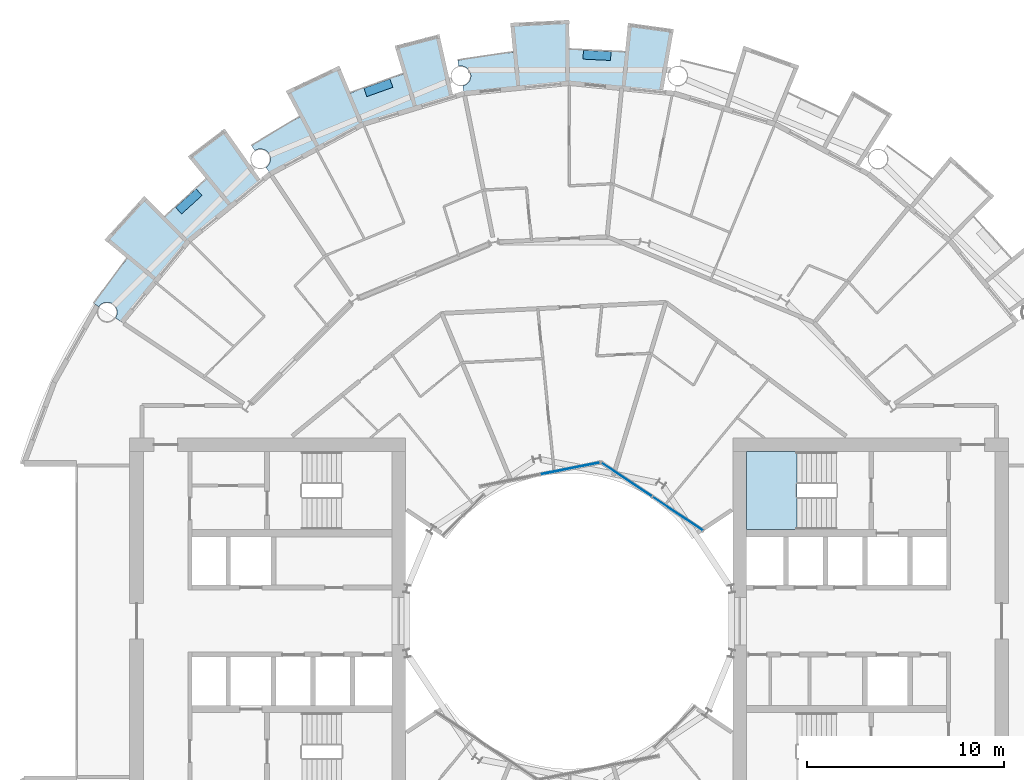
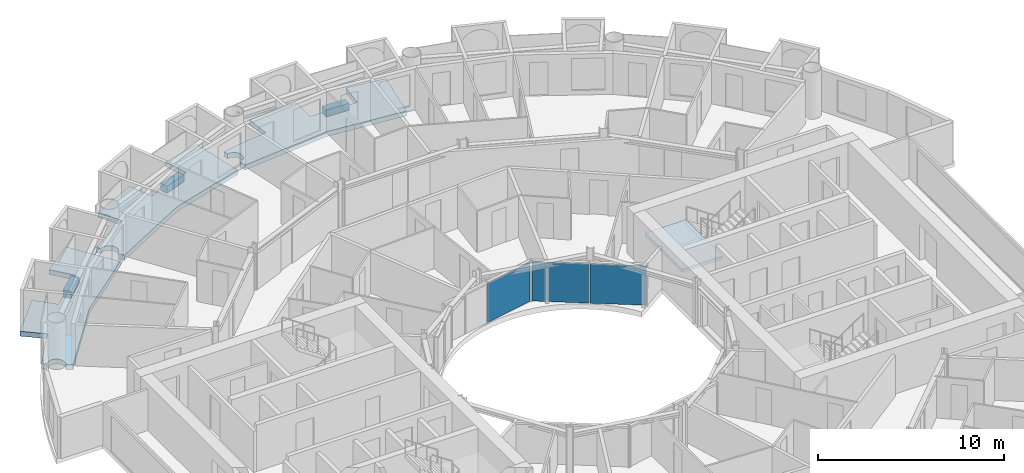
# One storey, part 11 of 26: 7 slabs, 3 plates, 3 elements without a shape of their own.
"""IFC4 building model written with IfcOpenShell, lengths in metres."""

from ifc_helpers import new_model, si_unit, direction, frame, origin, origin_2d, place, context, subcontext, project, spatial, polyline, rectangle, outline, extrude, material, layer, layer_set, type_object, element, aggregate, save


model = new_model("IFC4")

# Units and contexts
model_context = context("Model", 3, precision=1e-05, world=origin(), true_north=direction((0.0, 1.0)))
body_context = subcontext(model_context, "Body", "Model", "MODEL_VIEW")
ifc_project = project(units=[si_unit("LENGTHUNIT", "METRE"), si_unit("AREAUNIT", "SQUARE_METRE"), si_unit("VOLUMEUNIT", "CUBIC_METRE"), si_unit("PLANEANGLEUNIT", "RADIAN"), si_unit("MASSUNIT", "GRAM", prefix="KILO")], contexts=[model_context])

# Site, building, storey
site_placement = place(None, origin())
site = spatial("IfcSite", under=ifc_project, at=site_placement, CompositionType="ELEMENT")
building_placement = place(site_placement, origin())
building = spatial("IfcBuilding", under=site, at=building_placement, Name="Maasbend Ring Residences", CompositionType="ELEMENT")
storey_placement = place(building_placement, frame((0.0, 0.0, 72.75)))
storey = spatial("IfcBuildingStorey", under=building, at=storey_placement, Name="L20", CompositionType="ELEMENT", Elevation=72.75)

# Stair, slab
ifc_material_1 = material(Name="Concrete C40/50", Category="concrete")
stair_type = type_object("IfcStairType", Name="CORE STAIR 18 RISERS", PredefinedType="HALF_TURN_STAIR", material=ifc_material_1)
stair_placement = place(storey_placement, origin())
stair = element("IfcStair", 1, at=stair_placement, inside=storey, type_object=stair_type, Name="L20 Exit stair ST-E1", PredefinedType="HALF_TURN_STAIR")
ifc_material_2 = material(Name="Concrete C40/50", Category="concrete")
ifc_layer_1 = layer(ifc_material_2, 0.199951171875)
ifc_layer_set_1 = layer_set([ifc_layer_1], Name="Concrete C40/50")
slab_type_1 = type_object("IfcSlabType", Name="CORE STAIR LANDING 200", PredefinedType="LANDING", material=ifc_layer_set_1)
slab_1_placement = place(storey_placement, frame((0.0, 0.0, 1.324951171875)))
slab_1 = element("IfcSlab", 2, at=slab_1_placement, type_object=slab_type_1, Name="ST-E1 landing 1", PredefinedType="LANDING", context=body_context, shape_type="SweptSolid", body=[
    extrude(outline(polyline([(11.550048828125, 8.60009765625), (9.0, 8.60009765625), (9.0, 4.64990234375), (11.550048828125, 4.64990234375), (11.550048828125, 8.60009765625)])), origin(), (0.0, 0.0, 1.0), 0.199951171875),
])
aggregate(stair, [slab_1])

# Curtain wall, plates
ifc_material_3 = material(Name="Aluminium and clear glass", Category="aluminium")
ifc_layer_2 = layer(ifc_material_3, 0.179931640625)
ifc_layer_set_2 = layer_set([ifc_layer_2], Name="CW-W")
curtain_wall_type = type_object("IfcCurtainWallType", Name="CW-W", PredefinedType="NOTDEFINED", material=ifc_layer_set_2)
curtain_wall_1_placement = place(storey_placement, origin())
curtain_wall_1 = element("IfcCurtainWall", 3, at=curtain_wall_1_placement, inside=storey, type_object=curtain_wall_type, Name="Well curtain wall N1", PredefinedType="NOTDEFINED")
ifc_material_4 = material(Name="Glass clear laminated", Category="glass")
ifc_layer_3 = layer(ifc_material_4, 0.031982421875)
ifc_layer_set_3 = layer_set([ifc_layer_3], Name="CWP-W")
plate_type = type_object("IfcPlateType", Name="CWP-W", PredefinedType="CURTAIN_PANEL", material=ifc_layer_set_3)
plate_1_placement = place(storey_placement, frame((5.51123046875, 5.44580078125, 0.0), z_axis=(0.0, 0.0, 1.0), x_axis=(-0.831469612303, 0.55557023302, 0.0)))
plate_1 = element("IfcPlate", 4, at=plate_1_placement, type_object=plate_type, Name="Glass panel well face", PredefinedType="CURTAIN_PANEL", context=body_context, shape_type="SweptSolid", body=[
    extrude(rectangle(XDim=3.053955078125, YDim=0.031982421875, at=origin_2d()), origin(), (0.0, 0.0, 1.0), 2.580078125),
])
plate_2_placement = place(storey_placement, frame((2.922119140625, 7.17578125, 0.0), z_axis=(0.0, 0.0, 1.0), x_axis=(-0.831469612303, 0.55557023302, 0.0)))
plate_2 = element("IfcPlate", 5, at=plate_2_placement, type_object=plate_type, Name="Glass panel well face", PredefinedType="CURTAIN_PANEL", context=body_context, shape_type="SweptSolid", body=[
    extrude(rectangle(XDim=3.053955078125, YDim=0.031982421875, at=origin_2d()), origin(), (0.0, 0.0, 1.0), 2.580078125),
])
aggregate(curtain_wall_1, [plate_1, plate_2])

# Curtain wall, plate
curtain_wall_2_placement = place(storey_placement, origin())
curtain_wall_2 = element("IfcCurtainWall", 6, at=curtain_wall_2_placement, inside=storey, type_object=curtain_wall_type, Name="Well curtain wall N2", PredefinedType="NOTDEFINED")
plate_3_placement = place(storey_placement, frame((0.04638671875, 7.747802734375, 0.0), z_axis=(0.0, 0.0, 1.0), x_axis=(-0.980785280403, -0.195090322016, 0.0)))
plate_3 = element("IfcPlate", 7, at=plate_3_placement, type_object=plate_type, Name="Glass panel well face", PredefinedType="CURTAIN_PANEL", context=body_context, shape_type="SweptSolid", body=[
    extrude(rectangle(XDim=3.053955078125, YDim=0.031982421875, at=origin_2d()), origin(), (0.0, 0.0, 1.0), 2.580078125),
])
aggregate(curtain_wall_2, [plate_3])

# Slabs
ifc_material_5 = material(Name="Planting with climbing greenery")
ifc_layer_4 = layer(ifc_material_5, 0.449951171875)
ifc_layer_set_4 = layer_set([ifc_layer_4], Name="PLANTER-LG")
slab_type_2 = type_object("IfcSlabType", Name="PLANTER-LG", PredefinedType="USERDEFINED", material=ifc_layer_set_4)
slab_2_placement = place(storey_placement, frame((0.0, 0.0, -0.030029296875)))
element("IfcSlab", 8, at=slab_2_placement, inside=storey, type_object=slab_type_2, Name="Planter with climbing greenery 3", ObjectType="PLANTER", PredefinedType="USERDEFINED", context=body_context, shape_type="SweptSolid", body=[
    extrude(outline(polyline([(2.1201171875, 28.89599609375), (0.721923828125, 28.965087890625), (0.699951171875, 28.514892578125), (2.097900390625, 28.446044921875), (2.1201171875, 28.89599609375)])), origin(), (0.0, 0.0, 1.0), 0.449951171875),
])
slab_3_placement = place(storey_placement, frame((0.0, 0.0, -0.030029296875)))
element("IfcSlab", 9, at=slab_3_placement, inside=storey, type_object=slab_type_2, Name="Planter with climbing greenery 4", ObjectType="PLANTER", PredefinedType="USERDEFINED", context=body_context, shape_type="SweptSolid", body=[
    extrude(outline(polyline([(-9.09912109375, 27.508056640625), (-10.4169921875, 27.035888671875), (-10.26611328125, 26.612060546875), (-8.947021484375, 27.083984375), (-9.09912109375, 27.508056640625)])), origin(), (0.0, 0.0, 1.0), 0.449951171875),
])
slab_4_placement = place(storey_placement, frame((0.0, 0.0, -0.030029296875)))
element("IfcSlab", 10, at=slab_4_placement, inside=storey, type_object=slab_type_2, Name="Planter with climbing greenery 5", ObjectType="PLANTER", PredefinedType="USERDEFINED", context=body_context, shape_type="SweptSolid", body=[
    extrude(outline(polyline([(-18.93310546875, 21.931884765625), (-19.969970703125, 20.991943359375), (-19.66796875, 20.657958984375), (-18.631103515625, 21.597900390625), (-18.93310546875, 21.931884765625)])), origin(), (0.0, 0.0, 1.0), 0.449951171875),
])
ifc_material_6 = material(Name="Concrete C40/50", Category="concrete")
ifc_layer_5 = layer(ifc_material_6, 0.199951171875)
ifc_layer_set_5 = layer_set([ifc_layer_5], Name="Concrete C40/50")
slab_type_3 = type_object("IfcSlabType", Name="SL-LOGGIA", PredefinedType="FLOOR", material=ifc_layer_set_5)
slab_5_placement = place(storey_placement, frame((0.0, 0.0, -0.35009765625)))
element("IfcSlab", 11, at=slab_5_placement, inside=storey, type_object=slab_type_3, Name="Loggia floor 1", PredefinedType="FLOOR", context=body_context, shape_type="SweptSolid", body=[
    extrude(outline(polyline([(-14.5, 25.114990234375), (-13.6708984375, 25.574951171875), (-13.6708984375, 25.575927734375), (-13.6708984375, 25.575927734375), (-13.6708984375, 25.575927734375), (-13.6708984375, 25.575927734375), (-13.6708984375, 25.575927734375), (-13.6708984375, 25.575927734375), (-13.6708984375, 25.575927734375), (-13.6708984375, 25.575927734375), (-13.6708984375, 25.575927734375), (-13.6708984375, 25.575927734375), (-13.6708984375, 25.575927734375), (-13.6708984375, 25.575927734375), (-13.6708984375, 25.575927734375), (-13.6708984375, 25.575927734375), (-13.6708984375, 25.575927734375), (-13.6708984375, 25.575927734375), (-14.3779296875, 26.89892578125), (-14.3779296875, 26.89892578125), (-14.3779296875, 26.89892578125), (-11.672119140625, 28.177978515625), (-11.672119140625, 28.177978515625), (-11.672119140625, 28.177978515625), (-11.097900390625, 26.79296875), (-11.097900390625, 26.79296875), (-11.097900390625, 26.79296875), (-11.097900390625, 26.79296875), (-11.097900390625, 26.79296875), (-11.097900390625, 26.79296875), (-11.097900390625, 26.79296875), (-11.097900390625, 26.79296875), (-11.097900390625, 26.79296875), (-11.097900390625, 26.79296875), (-11.097900390625, 26.79296875), (-11.097900390625, 26.79296875), (-11.097900390625, 26.79296875), (-11.097900390625, 26.79296875), (-11.096923828125, 26.79296875), (-11.096923828125, 26.79296875), (-11.096923828125, 26.79296875), (-10.215087890625, 27.14111328125), (-10.215087890625, 27.14111328125), (-9.322021484375, 27.4609375), (-9.322021484375, 27.4609375), (-8.4189453125, 27.7509765625), (-8.4189453125, 27.7509765625), (-8.4189453125, 27.7509765625), (-8.4189453125, 27.7509765625), (-8.4189453125, 27.7509765625), (-8.4189453125, 27.7509765625), (-8.41796875, 27.7509765625), (-8.41796875, 27.7509765625), (-8.41796875, 27.7509765625), (-8.41796875, 27.7509765625), (-8.41796875, 27.7509765625), (-8.41796875, 27.751953125), (-8.41796875, 27.751953125), (-8.41796875, 27.751953125), (-8.41796875, 27.751953125), (-8.41796875, 27.751953125), (-8.41796875, 27.751953125), (-8.85400390625, 29.18701171875), (-8.85400390625, 29.18701171875), (-8.85400390625, 29.18701171875), (-6.593994140625, 29.779052734375), (-6.593994140625, 29.779052734375), (-6.593994140625, 29.779052734375), (-5.89111328125, 26.60400390625), (-5.89111328125, 26.60400390625), (-5.89111328125, 26.60400390625), (-7.886962890625, 25.9990234375), (-10.447021484375, 25.221923828125), (-10.447021484375, 25.221923828125), (-10.447021484375, 25.221923828125), (-12.806884765625, 23.9609375), (-15.1669921875, 22.698974609375), (-15.1669921875, 22.698974609375), (-15.1669921875, 22.698974609375), (-15.385009765625, 23.02490234375), (-15.375, 23.031982421875), (-15.364013671875, 23.0390625), (-15.35498046875, 23.047119140625), (-15.344970703125, 23.054931640625), (-15.3349609375, 23.06298828125), (-15.325927734375, 23.071044921875), (-15.31689453125, 23.0791015625), (-15.30810546875, 23.087890625), (-15.299072265625, 23.096923828125), (-15.291015625, 23.10595703125), (-15.281982421875, 23.115966796875), (-15.27392578125, 23.125), (-15.26708984375, 23.135009765625), (-15.259033203125, 23.14501953125), (-15.251953125, 23.155029296875), (-15.2451171875, 23.1650390625), (-15.238037109375, 23.176025390625), (-15.23095703125, 23.18603515625), (-15.22509765625, 23.197021484375), (-15.218994140625, 23.2080078125), (-15.212890625, 23.218994140625), (-15.2080078125, 23.22998046875), (-15.202880859375, 23.241943359375), (-15.197998046875, 23.2529296875), (-15.193115234375, 23.264892578125), (-15.18896484375, 23.27587890625), (-15.18505859375, 23.2880859375), (-15.180908203125, 23.300048828125), (-15.177978515625, 23.31201171875), (-15.174072265625, 23.323974609375), (-15.1708984375, 23.3359375), (-15.1689453125, 23.347900390625), (-15.1669921875, 23.361083984375), (-15.1650390625, 23.373046875), (-15.1630859375, 23.385009765625), (-15.162109375, 23.39794921875), (-15.159912109375, 23.409912109375), (-15.159912109375, 23.422119140625), (-15.158935546875, 23.43505859375), (-15.158935546875, 23.447021484375), (-15.158935546875, 23.4599609375), (-15.159912109375, 23.471923828125), (-15.159912109375, 23.485107421875), (-15.162109375, 23.4970703125), (-15.1630859375, 23.510009765625), (-15.1650390625, 23.52197265625), (-15.1669921875, 23.533935546875), (-15.1689453125, 23.547119140625), (-15.1708984375, 23.55908203125), (-15.174072265625, 23.571044921875), (-15.177978515625, 23.5830078125), (-15.180908203125, 23.594970703125), (-15.18505859375, 23.60693359375), (-15.18896484375, 23.618896484375), (-15.193115234375, 23.6298828125), (-15.197998046875, 23.64208984375), (-15.202880859375, 23.653076171875), (-15.2080078125, 23.6650390625), (-15.212890625, 23.676025390625), (-15.218994140625, 23.68701171875), (-15.22509765625, 23.697998046875), (-15.23095703125, 23.708984375), (-15.238037109375, 23.718994140625), (-15.2451171875, 23.72998046875), (-15.251953125, 23.739990234375), (-15.259033203125, 23.75), (-15.26708984375, 23.760009765625), (-15.27392578125, 23.77001953125), (-15.281982421875, 23.779052734375), (-15.291015625, 23.7890625), (-15.299072265625, 23.798095703125), (-15.30810546875, 23.806884765625), (-15.31689453125, 23.81494140625), (-15.325927734375, 23.823974609375), (-15.3349609375, 23.83203125), (-15.344970703125, 23.840087890625), (-15.35498046875, 23.847900390625), (-15.364013671875, 23.85498046875), (-15.375, 23.863037109375), (-15.385009765625, 23.8701171875), (-15.39501953125, 23.876953125), (-15.406005859375, 23.883056640625), (-15.4169921875, 23.888916015625), (-15.427978515625, 23.89501953125), (-15.43896484375, 23.90087890625), (-15.449951171875, 23.906982421875), (-15.4609375, 23.912109375), (-15.472900390625, 23.9169921875), (-15.48388671875, 23.9208984375), (-15.49609375, 23.926025390625), (-15.508056640625, 23.929931640625), (-15.52001953125, 23.93408203125), (-15.531982421875, 23.93701171875), (-15.5439453125, 23.93994140625), (-15.555908203125, 23.943115234375), (-15.568115234375, 23.946044921875), (-15.580078125, 23.947998046875), (-15.593017578125, 23.949951171875), (-15.60498046875, 23.951904296875), (-15.616943359375, 23.952880859375), (-15.6298828125, 23.9541015625), (-15.64208984375, 23.955078125), (-15.655029296875, 23.955078125), (-15.6669921875, 23.955078125), (-15.679931640625, 23.955078125), (-15.69189453125, 23.955078125), (-15.7041015625, 23.9541015625), (-15.717041015625, 23.952880859375), (-15.72900390625, 23.951904296875), (-15.741943359375, 23.949951171875), (-15.75390625, 23.947998046875), (-15.76611328125, 23.946044921875), (-15.778076171875, 23.943115234375), (-15.791015625, 23.93994140625), (-15.802978515625, 23.93701171875), (-15.81494140625, 23.93408203125), (-15.825927734375, 23.929931640625), (-15.837890625, 23.926025390625), (-15.85009765625, 23.9208984375), (-15.862060546875, 23.9169921875), (-15.873046875, 23.912109375), (-15.884033203125, 23.906982421875), (-15.89599609375, 23.90087890625), (-15.906982421875, 23.89501953125), (-15.9169921875, 23.888916015625), (-15.927978515625, 23.883056640625), (-15.93896484375, 23.876953125), (-15.948974609375, 23.8701171875), (-16.112060546875, 24.113037109375), (-16.112060546875, 24.113037109375), (-16.112060546875, 24.113037109375), (-15.31396484375, 24.626953125), (-15.31396484375, 24.626953125), (-14.5, 25.114990234375), (-14.5, 25.114990234375)])), origin(), (0.0, 0.0, 1.0), 0.320068359375),
])
slab_6_placement = place(storey_placement, frame((0.0, 0.0, -0.35009765625)))
element("IfcSlab", 12, at=slab_6_placement, inside=storey, type_object=slab_type_3, Name="Loggia floor 3", PredefinedType="FLOOR", context=body_context, shape_type="SweptSolid", body=[
    extrude(outline(polyline([(-3.784912109375, 28.751953125), (-2.843017578125, 28.860107421875), (-2.843017578125, 28.860107421875), (-2.843017578125, 28.860107421875), (-2.843017578125, 28.860107421875), (-2.843017578125, 28.860107421875), (-2.843017578125, 28.860107421875), (-2.843017578125, 28.860107421875), (-2.843017578125, 28.860107421875), (-2.843017578125, 28.860107421875), (-2.843017578125, 28.861083984375), (-2.843017578125, 28.861083984375), (-2.843017578125, 28.861083984375), (-2.843017578125, 28.861083984375), (-2.843017578125, 28.861083984375), (-2.843017578125, 28.861083984375), (-2.843017578125, 28.861083984375), (-2.843017578125, 28.861083984375), (-2.989990234375, 30.35302734375), (-2.989990234375, 30.35302734375), (-2.989990234375, 30.35302734375), (0.0, 30.5), (0.0, 30.5), (0.0, 30.5), (0.0, 29.0), (0.0, 29.0), (0.0, 29.0), (0.0, 29.0), (0.0, 29.0), (0.0, 29.0), (0.0, 29.0), (0.0, 29.0), (0.0, 29.0), (0.0, 29.0), (0.0, 29.0), (0.0, 29.0), (0.0, 29.0), (0.0, 29.0), (0.0, 29.0), (0.0, 29.0), (0.0, 29.0), (0.948974609375, 28.98388671875), (0.948974609375, 28.98388671875), (1.89697265625, 28.93798828125), (1.89697265625, 28.93798828125), (2.842041015625, 28.860107421875), (2.842041015625, 28.860107421875), (2.842041015625, 28.860107421875), (2.842041015625, 28.860107421875), (2.842041015625, 28.860107421875), (2.842041015625, 28.860107421875), (2.842041015625, 28.860107421875), (2.842041015625, 28.860107421875), (2.842041015625, 28.861083984375), (2.842041015625, 28.861083984375), (2.842041015625, 28.861083984375), (2.842041015625, 28.861083984375), (2.842041015625, 28.861083984375), (2.843017578125, 28.861083984375), (2.843017578125, 28.861083984375), (2.843017578125, 28.861083984375), (2.843017578125, 28.861083984375), (2.989990234375, 30.35302734375), (2.989990234375, 30.35302734375), (2.989990234375, 30.35302734375), (5.303955078125, 30.034912109375), (5.303955078125, 30.034912109375), (5.303955078125, 30.034912109375), (4.739013671875, 26.8330078125), (4.739013671875, 26.8330078125), (4.739013671875, 26.8330078125), (2.6630859375, 27.0380859375), (0.0, 27.300048828125), (0.0, 27.300048828125), (0.0, 27.300048828125), (-2.6630859375, 27.0380859375), (-5.325927734375, 26.77490234375), (-5.325927734375, 26.77490234375), (-5.325927734375, 26.77490234375), (-5.402099609375, 27.159912109375), (-5.402099609375, 27.159912109375), (-5.389892578125, 27.162109375), (-5.3779296875, 27.1650390625), (-5.365966796875, 27.1689453125), (-5.35400390625, 27.172119140625), (-5.342041015625, 27.176025390625), (-5.330078125, 27.179931640625), (-5.319091796875, 27.18408203125), (-5.306884765625, 27.18896484375), (-5.2958984375, 27.194091796875), (-5.283935546875, 27.198974609375), (-5.27294921875, 27.2041015625), (-5.261962890625, 27.2099609375), (-5.2509765625, 27.216064453125), (-5.239990234375, 27.221923828125), (-5.22998046875, 27.22900390625), (-5.218994140625, 27.236083984375), (-5.208984375, 27.242919921875), (-5.198974609375, 27.25), (-5.18896484375, 27.258056640625), (-5.178955078125, 27.264892578125), (-5.169921875, 27.27294921875), (-5.159912109375, 27.281982421875), (-5.15087890625, 27.2900390625), (-5.14208984375, 27.299072265625), (-5.134033203125, 27.30810546875), (-5.125, 27.31689453125), (-5.116943359375, 27.325927734375), (-5.10888671875, 27.3359375), (-5.10107421875, 27.345947265625), (-5.093017578125, 27.35498046875), (-5.0859375, 27.365966796875), (-5.0791015625, 27.3759765625), (-5.072021484375, 27.385986328125), (-5.06591796875, 27.39697265625), (-5.05908203125, 27.407958984375), (-5.052978515625, 27.4189453125), (-5.048095703125, 27.429931640625), (-5.0419921875, 27.44091796875), (-5.037109375, 27.451904296875), (-5.031982421875, 27.464111328125), (-5.028076171875, 27.47509765625), (-5.02294921875, 27.487060546875), (-5.01904296875, 27.4990234375), (-5.014892578125, 27.510986328125), (-5.011962890625, 27.52294921875), (-5.009033203125, 27.534912109375), (-5.006103515625, 27.547119140625), (-5.0029296875, 27.55908203125), (-5.0009765625, 27.571044921875), (-4.9990234375, 27.583984375), (-4.9970703125, 27.595947265625), (-4.99609375, 27.60791015625), (-4.9951171875, 27.62109375), (-4.993896484375, 27.633056640625), (-4.993896484375, 27.64599609375), (-4.993896484375, 27.657958984375), (-4.993896484375, 27.6708984375), (-4.993896484375, 27.68310546875), (-4.9951171875, 27.695068359375), (-4.99609375, 27.7080078125), (-4.9970703125, 27.719970703125), (-4.9990234375, 27.73291015625), (-5.0009765625, 27.7451171875), (-5.0029296875, 27.757080078125), (-5.006103515625, 27.76904296875), (-5.009033203125, 27.781982421875), (-5.011962890625, 27.7939453125), (-5.014892578125, 27.805908203125), (-5.01904296875, 27.81689453125), (-5.02294921875, 27.8291015625), (-5.028076171875, 27.841064453125), (-5.031982421875, 27.85302734375), (-5.037109375, 27.864013671875), (-5.0419921875, 27.875), (-5.048095703125, 27.886962890625), (-5.052978515625, 27.89794921875), (-5.05908203125, 27.907958984375), (-5.06591796875, 27.9189453125), (-5.072021484375, 27.929931640625), (-5.0791015625, 27.93994140625), (-5.0859375, 27.950927734375), (-5.093017578125, 27.9609375), (-5.10107421875, 27.970947265625), (-5.10888671875, 27.97998046875), (-5.116943359375, 27.989990234375), (-5.125, 27.9990234375), (-5.134033203125, 28.008056640625), (-5.14208984375, 28.01708984375), (-5.15087890625, 28.02587890625), (-5.159912109375, 28.034912109375), (-5.169921875, 28.04296875), (-5.178955078125, 28.051025390625), (-5.18896484375, 28.05908203125), (-5.198974609375, 28.06591796875), (-5.208984375, 28.072998046875), (-5.218994140625, 28.080078125), (-5.22998046875, 28.0869140625), (-5.239990234375, 28.093994140625), (-5.2509765625, 28.10009765625), (-5.261962890625, 28.10595703125), (-5.27294921875, 28.112060546875), (-5.283935546875, 28.116943359375), (-5.2958984375, 28.123046875), (-5.306884765625, 28.126953125), (-5.319091796875, 28.132080078125), (-5.330078125, 28.135986328125), (-5.342041015625, 28.139892578125), (-5.35400390625, 28.14404296875), (-5.365966796875, 28.14794921875), (-5.3779296875, 28.15087890625), (-5.389892578125, 28.154052734375), (-5.402099609375, 28.156005859375), (-5.4150390625, 28.158935546875), (-5.427001953125, 28.160888671875), (-5.43896484375, 28.162109375), (-5.451904296875, 28.1640625), (-5.464111328125, 28.1650390625), (-5.47705078125, 28.1650390625), (-5.489013671875, 28.166015625), (-5.501953125, 28.166015625), (-5.513916015625, 28.166015625), (-5.52587890625, 28.1650390625), (-5.5390625, 28.1650390625), (-5.551025390625, 28.1640625), (-5.56396484375, 28.162109375), (-5.575927734375, 28.160888671875), (-5.587890625, 28.158935546875), (-5.60107421875, 28.156005859375), (-5.60107421875, 28.156005859375), (-5.657958984375, 28.443115234375), (-5.657958984375, 28.443115234375), (-5.657958984375, 28.443115234375), (-4.72412109375, 28.613037109375), (-4.72412109375, 28.613037109375), (-3.784912109375, 28.751953125), (-3.784912109375, 28.751953125)])), origin(), (0.0, 0.0, 1.0), 0.320068359375),
])
slab_7_placement = place(storey_placement, frame((0.0, 0.0, -0.35009765625)))
element("IfcSlab", 13, at=slab_7_placement, inside=storey, type_object=slab_type_3, Name="Loggia floor 5", PredefinedType="FLOOR", context=body_context, shape_type="SweptSolid", body=[
    extrude(outline(polyline([(-23.007080078125, 17.654052734375), (-22.41796875, 18.39697265625), (-22.41796875, 18.39697265625), (-22.41796875, 18.39697265625), (-22.41796875, 18.39697265625), (-22.41796875, 18.39697265625), (-22.41796875, 18.39697265625), (-22.41796875, 18.39697265625), (-22.41796875, 18.39697265625), (-22.41796875, 18.39697265625), (-22.41796875, 18.39697265625), (-22.41796875, 18.39697265625), (-22.41796875, 18.39794921875), (-22.41796875, 18.39794921875), (-22.41796875, 18.39794921875), (-22.41796875, 18.39794921875), (-22.41796875, 18.39794921875), (-22.41796875, 18.39794921875), (-23.576904296875, 19.34912109375), (-23.576904296875, 19.34912109375), (-23.576904296875, 19.34912109375), (-21.56689453125, 21.56689453125), (-21.56689453125, 21.56689453125), (-21.56689453125, 21.56689453125), (-20.506103515625, 20.506103515625), (-20.506103515625, 20.506103515625), (-20.506103515625, 20.506103515625), (-20.506103515625, 20.506103515625), (-20.506103515625, 20.506103515625), (-20.506103515625, 20.506103515625), (-20.506103515625, 20.506103515625), (-20.506103515625, 20.506103515625), (-20.506103515625, 20.506103515625), (-20.506103515625, 20.506103515625), (-20.506103515625, 20.506103515625), (-20.506103515625, 20.506103515625), (-20.506103515625, 20.506103515625), (-20.506103515625, 20.506103515625), (-20.506103515625, 20.506103515625), (-20.506103515625, 20.506103515625), (-20.506103515625, 20.506103515625), (-19.823974609375, 21.166015625), (-19.823974609375, 21.166015625), (-19.12109375, 21.802978515625), (-19.12109375, 21.802978515625), (-18.39794921875, 22.4169921875), (-18.39794921875, 22.4169921875), (-18.39794921875, 22.4169921875), (-18.39794921875, 22.4169921875), (-18.39794921875, 22.4169921875), (-18.39794921875, 22.4169921875), (-18.39794921875, 22.4169921875), (-18.39794921875, 22.4169921875), (-18.39794921875, 22.4169921875), (-18.39794921875, 22.4169921875), (-18.39794921875, 22.4169921875), (-18.39794921875, 22.4169921875), (-18.39794921875, 22.41796875), (-18.39794921875, 22.41796875), (-18.39794921875, 22.41796875), (-18.39794921875, 22.41796875), (-18.39794921875, 22.41796875), (-19.34912109375, 23.576904296875), (-19.34912109375, 23.576904296875), (-19.34912109375, 23.576904296875), (-17.488037109375, 24.989013671875), (-17.488037109375, 24.989013671875), (-17.488037109375, 24.989013671875), (-15.623046875, 22.324951171875), (-15.623046875, 22.324951171875), (-15.623046875, 22.324951171875), (-17.236083984375, 21.001953125), (-19.303955078125, 19.303955078125), (-19.303955078125, 19.303955078125), (-19.303955078125, 19.303955078125), (-21.001953125, 17.236083984375), (-22.698974609375, 15.1669921875), (-22.698974609375, 15.1669921875), (-22.698974609375, 15.1669921875), (-23.02490234375, 15.385009765625), (-23.02490234375, 15.385009765625), (-23.01806640625, 15.39501953125), (-23.011962890625, 15.406005859375), (-23.0048828125, 15.4169921875), (-22.9990234375, 15.427978515625), (-22.993896484375, 15.43896484375), (-22.988037109375, 15.449951171875), (-22.98291015625, 15.4609375), (-22.97802734375, 15.472900390625), (-22.972900390625, 15.48388671875), (-22.968994140625, 15.49609375), (-22.965087890625, 15.508056640625), (-22.9609375, 15.52001953125), (-22.9580078125, 15.531982421875), (-22.955078125, 15.5439453125), (-22.951904296875, 15.555908203125), (-22.948974609375, 15.568115234375), (-22.947021484375, 15.580078125), (-22.945068359375, 15.593017578125), (-22.943115234375, 15.60498046875), (-22.94189453125, 15.616943359375), (-22.94091796875, 15.6298828125), (-22.93994140625, 15.64208984375), (-22.93994140625, 15.655029296875), (-22.93896484375, 15.6669921875), (-22.93994140625, 15.679931640625), (-22.93994140625, 15.69189453125), (-22.94091796875, 15.7041015625), (-22.94189453125, 15.717041015625), (-22.943115234375, 15.72900390625), (-22.945068359375, 15.741943359375), (-22.947021484375, 15.75390625), (-22.948974609375, 15.76611328125), (-22.951904296875, 15.778076171875), (-22.955078125, 15.791015625), (-22.9580078125, 15.802978515625), (-22.9609375, 15.81494140625), (-22.965087890625, 15.825927734375), (-22.968994140625, 15.837890625), (-22.972900390625, 15.85009765625), (-22.97802734375, 15.862060546875), (-22.98291015625, 15.873046875), (-22.988037109375, 15.884033203125), (-22.993896484375, 15.89599609375), (-22.9990234375, 15.906982421875), (-23.0048828125, 15.9169921875), (-23.011962890625, 15.927978515625), (-23.01806640625, 15.93896484375), (-23.02490234375, 15.948974609375), (-23.031982421875, 15.9599609375), (-23.0390625, 15.969970703125), (-23.047119140625, 15.97998046875), (-23.054931640625, 15.989013671875), (-23.06298828125, 15.9990234375), (-23.071044921875, 16.008056640625), (-23.0791015625, 16.01708984375), (-23.087890625, 16.02587890625), (-23.096923828125, 16.034912109375), (-23.10595703125, 16.0439453125), (-23.115966796875, 16.052001953125), (-23.125, 16.06005859375), (-23.135009765625, 16.068115234375), (-23.14501953125, 16.074951171875), (-23.155029296875, 16.08203125), (-23.1650390625, 16.089111328125), (-23.176025390625, 16.095947265625), (-23.18603515625, 16.10302734375), (-23.197021484375, 16.10888671875), (-23.2080078125, 16.114990234375), (-23.218994140625, 16.12109375), (-23.22998046875, 16.1259765625), (-23.241943359375, 16.132080078125), (-23.2529296875, 16.135986328125), (-23.264892578125, 16.14111328125), (-23.27587890625, 16.14501953125), (-23.2880859375, 16.14892578125), (-23.300048828125, 16.153076171875), (-23.31201171875, 16.156982421875), (-23.323974609375, 16.159912109375), (-23.3359375, 16.1630859375), (-23.347900390625, 16.1650390625), (-23.361083984375, 16.16796875), (-23.373046875, 16.169921875), (-23.385009765625, 16.1708984375), (-23.39794921875, 16.173095703125), (-23.409912109375, 16.174072265625), (-23.422119140625, 16.174072265625), (-23.43505859375, 16.175048828125), (-23.447021484375, 16.175048828125), (-23.4599609375, 16.175048828125), (-23.471923828125, 16.174072265625), (-23.485107421875, 16.174072265625), (-23.4970703125, 16.173095703125), (-23.510009765625, 16.1708984375), (-23.52197265625, 16.169921875), (-23.533935546875, 16.16796875), (-23.547119140625, 16.1650390625), (-23.55908203125, 16.1630859375), (-23.571044921875, 16.159912109375), (-23.5830078125, 16.156982421875), (-23.594970703125, 16.153076171875), (-23.60693359375, 16.14892578125), (-23.618896484375, 16.14501953125), (-23.6298828125, 16.14111328125), (-23.64208984375, 16.135986328125), (-23.653076171875, 16.132080078125), (-23.6650390625, 16.1259765625), (-23.676025390625, 16.12109375), (-23.68701171875, 16.114990234375), (-23.697998046875, 16.10888671875), (-23.708984375, 16.10302734375), (-23.718994140625, 16.095947265625), (-23.72998046875, 16.089111328125), (-23.739990234375, 16.08203125), (-23.75, 16.074951171875), (-23.760009765625, 16.068115234375), (-23.77001953125, 16.06005859375), (-23.779052734375, 16.052001953125), (-23.7890625, 16.0439453125), (-23.798095703125, 16.034912109375), (-23.806884765625, 16.02587890625), (-23.81494140625, 16.01708984375), (-23.823974609375, 16.008056640625), (-23.83203125, 15.9990234375), (-23.840087890625, 15.989013671875), (-23.847900390625, 15.97998046875), (-23.85498046875, 15.969970703125), (-23.863037109375, 15.9599609375), (-23.8701171875, 15.948974609375), (-23.8701171875, 15.948974609375), (-24.113037109375, 16.112060546875), (-24.113037109375, 16.112060546875), (-24.113037109375, 16.112060546875), (-23.572998046875, 16.89208984375), (-23.572998046875, 16.89208984375), (-23.007080078125, 17.654052734375), (-23.007080078125, 17.654052734375)])), origin(), (0.0, 0.0, 1.0), 0.320068359375),
])

save(model, "model.ifc")
